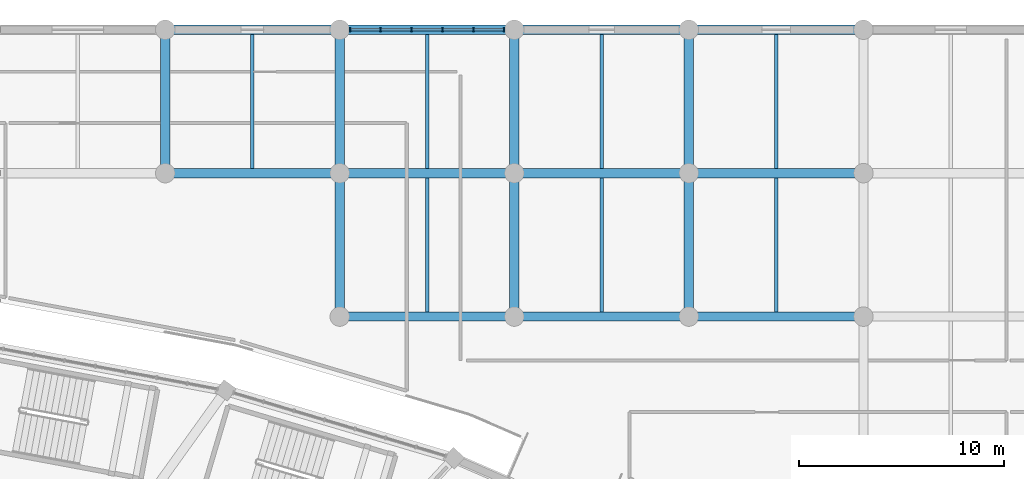
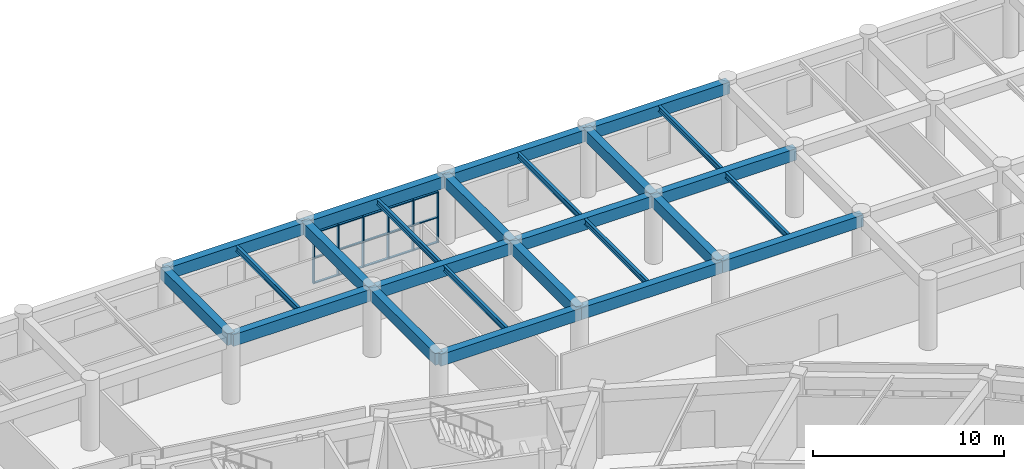
# One storey, part 67 of 141: 25 beams, 21 members, 1 element without a shape of its own.
"""IFC4 building model written with IfcOpenShell, lengths in metres."""

from ifc_helpers import new_model, si_unit, direction, frame, origin, origin_2d, place, context, subcontext, project, spatial, rectangle, i_section, extrude, material, layer, layer_set, material_profile, profile_set, type_object, element, aggregate, save


model = new_model("IFC4")

# Units and contexts
model_context = context("Model", 3, precision=1e-05, world=origin(), true_north=direction((0.0, 1.0)))
body_context = subcontext(model_context, "Body", "Model", "MODEL_VIEW")
ifc_project = project(units=[si_unit("LENGTHUNIT", "METRE"), si_unit("AREAUNIT", "SQUARE_METRE"), si_unit("VOLUMEUNIT", "CUBIC_METRE"), si_unit("PLANEANGLEUNIT", "RADIAN"), si_unit("MASSUNIT", "GRAM", prefix="KILO")], contexts=[model_context])

# Site, building, storey
site_placement = place(None, origin())
site = spatial("IfcSite", under=ifc_project, at=site_placement, CompositionType="ELEMENT")
building_placement = place(site_placement, origin())
building = spatial("IfcBuilding", under=site, at=building_placement, Name="Mphavela Belvedere Stadium", CompositionType="ELEMENT")
storey_placement = place(building_placement, frame((0.0, 0.0, 14.699951171875)))
storey = spatial("IfcBuildingStorey", under=building, at=storey_placement, Name="L03", CompositionType="ELEMENT", Elevation=14.699951171875)

# Beams
ifc_material_1 = material(Name="Steel S355", Category="steel")
ifc_material_profile_1 = material_profile(ifc_material_1, i_section(OverallWidth=0.169921875, OverallDepth=0.360107421875, WebThickness=0.008056640625, FlangeThickness=0.0126953125, at=origin_2d()), Name="IPE 360")
ifc_profile_set_1 = profile_set([ifc_material_profile_1], Name="Steel S355")
beam_type_1 = type_object("IfcBeamType", Name="BM-JOIST-IPE360", PredefinedType="JOIST", material=ifc_profile_set_1)
for number, where, z_axis, x_axis, name in (
    (1, (166.111083984375, 167.22509765625, 4.06005859375), (0.0, 1.0, 0.0), (-1.0, 0.0, 0.0), "North Mast and Ceremonial End Forecourt secondary joist L03 20-7"),
    (2, (174.62939453125, 160.22509765625, 4.06005859375), (0.0, 1.0, 0.0), (-1.0, 0.0, 0.0), "North Mast and Ceremonial End Forecourt secondary joist L03 21-6"),
    (3, (174.62939453125, 167.22509765625, 4.06005859375), (0.0, 1.0, 0.0), (-1.0, 0.0, 0.0), "North Mast and Ceremonial End Forecourt secondary joist L03 21-7"),
    (4, (183.14794921875, 160.22509765625, 4.06005859375), (0.0, 1.0, 0.0), (-1.0, 0.0, 0.0), "North Mast and Ceremonial End Forecourt secondary joist L03 22-6"),
    (5, (183.14794921875, 167.22509765625, 4.06005859375), (0.0, 1.0, 0.0), (-1.0, 0.0, 0.0), "North Mast and Ceremonial End Forecourt secondary joist L03 22-7"),
    (6, (191.66650390625, 160.22509765625, 4.06005859375), (0.0, 1.0, 0.0), (-1.0, 0.0, 0.0), "North Mast and Ceremonial End Forecourt secondary joist L03 23-6"),
    (7, (191.66650390625, 167.22509765625, 4.06005859375), (0.0, 1.0, 0.0), (-1.0, 0.0, 0.0), "North Mast and Ceremonial End Forecourt secondary joist L03 23-7"),
):
    element("IfcBeam", number, at=place(storey_placement, frame(where, z_axis=z_axis, x_axis=x_axis)), inside=storey, type_object=beam_type_1, Name=name, PredefinedType="JOIST", context=body_context, shape_type="SweptSolid", body=[
        extrude(i_section(OverallWidth=0.169921875, OverallDepth=0.360107421875, WebThickness=0.008056640625, FlangeThickness=0.0126953125, at=origin_2d()), origin(), (0.0, 0.0, 1.0), 6.5498046875),
    ])
ifc_material_2 = material(Name="Concrete C40/50", Category="concrete")
ifc_material_profile_2 = material_profile(ifc_material_2, rectangle(XDim=0.449951171875, YDim=0.75, at=origin_2d()), Name="RC 450x750")
ifc_profile_set_2 = profile_set([ifc_material_profile_2], Name="Concrete C40/50")
beam_type_2 = type_object("IfcBeamType", Name="BM-RC450x750", PredefinedType="BEAM", material=ifc_profile_set_2)
beam_1_placement = place(storey_placement, frame((161.85205078125, 167.0, 3.864990234375), z_axis=(1.0, 0.0, 0.0), x_axis=(0.0, 1.0, 0.0)))
element("IfcBeam", 8, at=beam_1_placement, inside=storey, type_object=beam_type_2, Name="North Mast and Ceremonial End Forecourt entablature beam X L03 20-7", PredefinedType="BEAM", context=body_context, shape_type="SweptSolid", body=[
    extrude(rectangle(XDim=0.449951171875, YDim=0.75, at=origin_2d()), origin(), (0.0, 0.0, 1.0), 8.51806640625),
])
beam_2_placement = place(storey_placement, frame((161.85205078125, 167.0, 3.864990234375), z_axis=(0.0, 1.0, 0.0), x_axis=(-1.0, 0.0, 0.0)))
element("IfcBeam", 9, at=beam_2_placement, inside=storey, type_object=beam_type_2, Name="North Mast and Ceremonial End Forecourt entablature beam Y L03 20-7", PredefinedType="BEAM", context=body_context, shape_type="SweptSolid", body=[
    extrude(rectangle(XDim=0.449951171875, YDim=0.75, at=origin_2d()), origin(), (0.0, 0.0, 1.0), 7.0),
])
beam_3_placement = place(storey_placement, frame((161.85205078125, 174.0, 3.864990234375), z_axis=(1.0, 0.0, 0.0), x_axis=(0.0, 1.0, 0.0)))
element("IfcBeam", 10, at=beam_3_placement, inside=storey, type_object=beam_type_2, Name="North Mast and Ceremonial End Forecourt entablature beam X L03 20-8", PredefinedType="BEAM", context=body_context, shape_type="SweptSolid", body=[
    extrude(rectangle(XDim=0.449951171875, YDim=0.75, at=origin_2d()), origin(), (0.0, 0.0, 1.0), 8.51806640625),
])
beam_4_placement = place(storey_placement, frame((170.3701171875, 160.0, 3.864990234375), z_axis=(1.0, 0.0, 0.0), x_axis=(0.0, 1.0, 0.0)))
element("IfcBeam", 11, at=beam_4_placement, inside=storey, type_object=beam_type_2, Name="North Mast and Ceremonial End Forecourt entablature beam X L03 21-6", PredefinedType="BEAM", context=body_context, shape_type="SweptSolid", body=[
    extrude(rectangle(XDim=0.449951171875, YDim=0.75, at=origin_2d()), origin(), (0.0, 0.0, 1.0), 8.518798828125),
])
beam_5_placement = place(storey_placement, frame((170.3701171875, 160.0, 3.864990234375), z_axis=(0.0, 1.0, 0.0), x_axis=(-1.0, 0.0, 0.0)))
element("IfcBeam", 12, at=beam_5_placement, inside=storey, type_object=beam_type_2, Name="North Mast and Ceremonial End Forecourt entablature beam Y L03 21-6", PredefinedType="BEAM", context=body_context, shape_type="SweptSolid", body=[
    extrude(rectangle(XDim=0.449951171875, YDim=0.75, at=origin_2d()), origin(), (0.0, 0.0, 1.0), 7.0),
])
beam_6_placement = place(storey_placement, frame((170.3701171875, 167.0, 3.864990234375), z_axis=(1.0, 0.0, 0.0), x_axis=(0.0, 1.0, 0.0)))
element("IfcBeam", 13, at=beam_6_placement, inside=storey, type_object=beam_type_2, Name="North Mast and Ceremonial End Forecourt entablature beam X L03 21-7", PredefinedType="BEAM", context=body_context, shape_type="SweptSolid", body=[
    extrude(rectangle(XDim=0.449951171875, YDim=0.75, at=origin_2d()), origin(), (0.0, 0.0, 1.0), 8.518798828125),
])
beam_7_placement = place(storey_placement, frame((170.3701171875, 167.0, 3.864990234375), z_axis=(0.0, 1.0, 0.0), x_axis=(-1.0, 0.0, 0.0)))
element("IfcBeam", 14, at=beam_7_placement, inside=storey, type_object=beam_type_2, Name="North Mast and Ceremonial End Forecourt entablature beam Y L03 21-7", PredefinedType="BEAM", context=body_context, shape_type="SweptSolid", body=[
    extrude(rectangle(XDim=0.449951171875, YDim=0.75, at=origin_2d()), origin(), (0.0, 0.0, 1.0), 7.0),
])
beam_8_placement = place(storey_placement, frame((170.3701171875, 174.0, 3.864990234375), z_axis=(1.0, 0.0, 0.0), x_axis=(0.0, 1.0, 0.0)))
element("IfcBeam", 15, at=beam_8_placement, inside=storey, type_object=beam_type_2, Name="North Mast and Ceremonial End Forecourt entablature beam X L03 21-8", PredefinedType="BEAM", context=body_context, shape_type="SweptSolid", body=[
    extrude(rectangle(XDim=0.449951171875, YDim=0.75, at=origin_2d()), origin(), (0.0, 0.0, 1.0), 8.518798828125),
])
beam_9_placement = place(storey_placement, frame((178.888916015625, 160.0, 3.864990234375), z_axis=(1.0, 0.0, 0.0), x_axis=(0.0, 1.0, 0.0)))
element("IfcBeam", 16, at=beam_9_placement, inside=storey, type_object=beam_type_2, Name="North Mast and Ceremonial End Forecourt entablature beam X L03 22-6", PredefinedType="BEAM", context=body_context, shape_type="SweptSolid", body=[
    extrude(rectangle(XDim=0.449951171875, YDim=0.75, at=origin_2d()), origin(), (0.0, 0.0, 1.0), 8.51806640625),
])
beam_10_placement = place(storey_placement, frame((178.888916015625, 160.0, 3.864990234375), z_axis=(0.0, 1.0, 0.0), x_axis=(-1.0, 0.0, 0.0)))
element("IfcBeam", 17, at=beam_10_placement, inside=storey, type_object=beam_type_2, Name="North Mast and Ceremonial End Forecourt entablature beam Y L03 22-6", PredefinedType="BEAM", context=body_context, shape_type="SweptSolid", body=[
    extrude(rectangle(XDim=0.449951171875, YDim=0.75, at=origin_2d()), origin(), (0.0, 0.0, 1.0), 7.0),
])
beam_11_placement = place(storey_placement, frame((178.888916015625, 167.0, 3.864990234375), z_axis=(1.0, 0.0, 0.0), x_axis=(0.0, 1.0, 0.0)))
element("IfcBeam", 18, at=beam_11_placement, inside=storey, type_object=beam_type_2, Name="North Mast and Ceremonial End Forecourt entablature beam X L03 22-7", PredefinedType="BEAM", context=body_context, shape_type="SweptSolid", body=[
    extrude(rectangle(XDim=0.449951171875, YDim=0.75, at=origin_2d()), origin(), (0.0, 0.0, 1.0), 8.51806640625),
])
beam_12_placement = place(storey_placement, frame((178.888916015625, 167.0, 3.864990234375), z_axis=(0.0, 1.0, 0.0), x_axis=(-1.0, 0.0, 0.0)))
element("IfcBeam", 19, at=beam_12_placement, inside=storey, type_object=beam_type_2, Name="North Mast and Ceremonial End Forecourt entablature beam Y L03 22-7", PredefinedType="BEAM", context=body_context, shape_type="SweptSolid", body=[
    extrude(rectangle(XDim=0.449951171875, YDim=0.75, at=origin_2d()), origin(), (0.0, 0.0, 1.0), 7.0),
])
beam_13_placement = place(storey_placement, frame((178.888916015625, 174.0, 3.864990234375), z_axis=(1.0, 0.0, 0.0), x_axis=(0.0, 1.0, 0.0)))
element("IfcBeam", 20, at=beam_13_placement, inside=storey, type_object=beam_type_2, Name="North Mast and Ceremonial End Forecourt entablature beam X L03 22-8", PredefinedType="BEAM", context=body_context, shape_type="SweptSolid", body=[
    extrude(rectangle(XDim=0.449951171875, YDim=0.75, at=origin_2d()), origin(), (0.0, 0.0, 1.0), 8.51806640625),
])
beam_14_placement = place(storey_placement, frame((187.406982421875, 160.0, 3.864990234375), z_axis=(1.0, 0.0, 0.0), x_axis=(0.0, 1.0, 0.0)))
element("IfcBeam", 21, at=beam_14_placement, inside=storey, type_object=beam_type_2, Name="North Mast and Ceremonial End Forecourt entablature beam X L03 23-6", PredefinedType="BEAM", context=body_context, shape_type="SweptSolid", body=[
    extrude(rectangle(XDim=0.449951171875, YDim=0.75, at=origin_2d()), origin(), (0.0, 0.0, 1.0), 8.51904296875),
])
beam_15_placement = place(storey_placement, frame((187.406982421875, 160.0, 3.864990234375), z_axis=(0.0, 1.0, 0.0), x_axis=(-1.0, 0.0, 0.0)))
element("IfcBeam", 22, at=beam_15_placement, inside=storey, type_object=beam_type_2, Name="North Mast and Ceremonial End Forecourt entablature beam Y L03 23-6", PredefinedType="BEAM", context=body_context, shape_type="SweptSolid", body=[
    extrude(rectangle(XDim=0.449951171875, YDim=0.75, at=origin_2d()), origin(), (0.0, 0.0, 1.0), 7.0),
])
beam_16_placement = place(storey_placement, frame((187.406982421875, 167.0, 3.864990234375), z_axis=(1.0, 0.0, 0.0), x_axis=(0.0, 1.0, 0.0)))
element("IfcBeam", 23, at=beam_16_placement, inside=storey, type_object=beam_type_2, Name="North Mast and Ceremonial End Forecourt entablature beam X L03 23-7", PredefinedType="BEAM", context=body_context, shape_type="SweptSolid", body=[
    extrude(rectangle(XDim=0.449951171875, YDim=0.75, at=origin_2d()), origin(), (0.0, 0.0, 1.0), 8.51904296875),
])
beam_17_placement = place(storey_placement, frame((187.406982421875, 167.0, 3.864990234375), z_axis=(0.0, 1.0, 0.0), x_axis=(-1.0, 0.0, 0.0)))
element("IfcBeam", 24, at=beam_17_placement, inside=storey, type_object=beam_type_2, Name="North Mast and Ceremonial End Forecourt entablature beam Y L03 23-7", PredefinedType="BEAM", context=body_context, shape_type="SweptSolid", body=[
    extrude(rectangle(XDim=0.449951171875, YDim=0.75, at=origin_2d()), origin(), (0.0, 0.0, 1.0), 7.0),
])
beam_18_placement = place(storey_placement, frame((187.406982421875, 174.0, 3.864990234375), z_axis=(1.0, 0.0, 0.0), x_axis=(0.0, 1.0, 0.0)))
element("IfcBeam", 25, at=beam_18_placement, inside=storey, type_object=beam_type_2, Name="North Mast and Ceremonial End Forecourt entablature beam X L03 23-8", PredefinedType="BEAM", context=body_context, shape_type="SweptSolid", body=[
    extrude(rectangle(XDim=0.449951171875, YDim=0.75, at=origin_2d()), origin(), (0.0, 0.0, 1.0), 8.51904296875),
])

# Curtain wall, members
ifc_material_3 = material(Name="Anodised bronze unitised curtain wall framing")
ifc_layer = layer(ifc_material_3, 0.18994140625)
ifc_layer_set = layer_set([ifc_layer], Name="Anodised bronze unitised curtain wall framing")
curtain_wall_type = type_object("IfcCurtainWallType", Name="CW-UNIT-03", PredefinedType="USERDEFINED", material=ifc_layer_set)
curtain_wall_placement = place(storey_placement, origin())
curtain_wall = element("IfcCurtainWall", 26, at=curtain_wall_placement, inside=storey, type_object=curtain_wall_type, Name="North Mast and Ceremonial End Forecourt gallery curtain wall L03-21", ObjectType="UNITISED CURTAIN WALL", PredefinedType="USERDEFINED")
ifc_material_4 = material(Name="Anodised bronze extruded aluminium", Category="aluminium")
ifc_material_profile_3 = material_profile(ifc_material_4, rectangle(XDim=0.179931640625, YDim=0.06494140625, at=origin_2d()), Name="CW-MUL 180x65")
ifc_profile_set_3 = profile_set([ifc_material_profile_3], Name="Anodised bronze extruded aluminium")
member_type_1 = type_object("IfcMemberType", Name="CWM-180x65", PredefinedType="MULLION", material=ifc_profile_set_3)
member_1_placement = place(storey_placement, frame((170.87548828125, 174.0, 0.0), z_axis=(0.0, 0.0, 1.0), x_axis=(0.0, 1.0, 0.0)))
member_1 = element("IfcMember", 27, at=member_1_placement, type_object=member_type_1, Name="CW-03 mullion 1", PredefinedType="MULLION", context=body_context, shape_type="SweptSolid", body=[
    extrude(rectangle(XDim=0.179931640625, YDim=0.06494140625, at=origin_2d()), origin(), (0.0, 0.0, 1.0), 3.260009765625),
])
member_2_placement = place(storey_placement, frame((172.357666015625, 174.0, 0.0), z_axis=(0.0, 0.0, 1.0), x_axis=(0.0, 1.0, 0.0)))
member_2 = element("IfcMember", 28, at=member_2_placement, type_object=member_type_1, Name="CW-03 mullion 2", PredefinedType="MULLION", context=body_context, shape_type="SweptSolid", body=[
    extrude(rectangle(XDim=0.179931640625, YDim=0.06494140625, at=origin_2d()), origin(), (0.0, 0.0, 1.0), 3.260009765625),
])
member_3_placement = place(storey_placement, frame((173.872314453125, 174.0, 0.0), z_axis=(0.0, 0.0, 1.0), x_axis=(0.0, 1.0, 0.0)))
member_3 = element("IfcMember", 29, at=member_3_placement, type_object=member_type_1, Name="CW-03 mullion 3", PredefinedType="MULLION", context=body_context, shape_type="SweptSolid", body=[
    extrude(rectangle(XDim=0.179931640625, YDim=0.06494140625, at=origin_2d()), origin(), (0.0, 0.0, 1.0), 3.260009765625),
])
member_4_placement = place(storey_placement, frame((175.38671875, 174.0, 0.0), z_axis=(0.0, 0.0, 1.0), x_axis=(0.0, 1.0, 0.0)))
member_4 = element("IfcMember", 30, at=member_4_placement, type_object=member_type_1, Name="CW-03 mullion 4", PredefinedType="MULLION", context=body_context, shape_type="SweptSolid", body=[
    extrude(rectangle(XDim=0.179931640625, YDim=0.06494140625, at=origin_2d()), origin(), (0.0, 0.0, 1.0), 3.260009765625),
])
member_5_placement = place(storey_placement, frame((176.9013671875, 174.0, 0.0), z_axis=(0.0, 0.0, 1.0), x_axis=(0.0, 1.0, 0.0)))
member_5 = element("IfcMember", 31, at=member_5_placement, type_object=member_type_1, Name="CW-03 mullion 5", PredefinedType="MULLION", context=body_context, shape_type="SweptSolid", body=[
    extrude(rectangle(XDim=0.179931640625, YDim=0.06494140625, at=origin_2d()), origin(), (0.0, 0.0, 1.0), 3.260009765625),
])
member_6_placement = place(storey_placement, frame((178.383544921875, 174.0, 0.0), z_axis=(0.0, 0.0, 1.0), x_axis=(0.0, 1.0, 0.0)))
member_6 = element("IfcMember", 32, at=member_6_placement, type_object=member_type_1, Name="CW-03 mullion 6", PredefinedType="MULLION", context=body_context, shape_type="SweptSolid", body=[
    extrude(rectangle(XDim=0.179931640625, YDim=0.06494140625, at=origin_2d()), origin(), (0.0, 0.0, 1.0), 3.260009765625),
])
ifc_material_5 = material(Name="Anodised bronze extruded aluminium", Category="aluminium")
ifc_material_profile_4 = material_profile(ifc_material_5, rectangle(XDim=0.139892578125, YDim=0.06005859375, at=origin_2d()), Name="CW-TRN 140x60")
ifc_profile_set_4 = profile_set([ifc_material_profile_4], Name="Anodised bronze extruded aluminium")
member_type_2 = type_object("IfcMemberType", Name="CWT-140x60", PredefinedType="USERDEFINED", material=ifc_profile_set_4)
member_7_placement = place(storey_placement, frame((170.907958984375, 174.0, 0.030029296875), z_axis=(1.0, 0.0, 0.0), x_axis=(0.0, 1.0, 0.0)))
member_7 = element("IfcMember", 33, at=member_7_placement, type_object=member_type_2, Name="CW-03 transom 1.1", ObjectType="TRANSOM", PredefinedType="USERDEFINED", context=body_context, shape_type="SweptSolid", body=[
    extrude(rectangle(XDim=0.139892578125, YDim=0.06005859375, at=origin_2d()), origin(), (0.0, 0.0, 1.0), 1.417236328125),
])
member_8_placement = place(storey_placement, frame((170.907958984375, 174.0, 1.630126953125), z_axis=(1.0, 0.0, 0.0), x_axis=(0.0, 1.0, 0.0)))
member_8 = element("IfcMember", 34, at=member_8_placement, type_object=member_type_2, Name="CW-03 transom 1.2", ObjectType="TRANSOM", PredefinedType="USERDEFINED", context=body_context, shape_type="SweptSolid", body=[
    extrude(rectangle(XDim=0.139892578125, YDim=0.06005859375, at=origin_2d()), origin(), (0.0, 0.0, 1.0), 1.417236328125),
])
member_9_placement = place(storey_placement, frame((170.907958984375, 174.0, 3.22998046875), z_axis=(1.0, 0.0, 0.0), x_axis=(0.0, 1.0, 0.0)))
member_9 = element("IfcMember", 35, at=member_9_placement, type_object=member_type_2, Name="CW-03 transom 1.3", ObjectType="TRANSOM", PredefinedType="USERDEFINED", context=body_context, shape_type="SweptSolid", body=[
    extrude(rectangle(XDim=0.139892578125, YDim=0.06005859375, at=origin_2d()), origin(), (0.0, 0.0, 1.0), 1.417236328125),
])
member_10_placement = place(storey_placement, frame((172.39013671875, 174.0, 0.030029296875), z_axis=(1.0, 0.0, 0.0), x_axis=(0.0, 1.0, 0.0)))
member_10 = element("IfcMember", 36, at=member_10_placement, type_object=member_type_2, Name="CW-03 transom 2.1", ObjectType="TRANSOM", PredefinedType="USERDEFINED", context=body_context, shape_type="SweptSolid", body=[
    extrude(rectangle(XDim=0.139892578125, YDim=0.06005859375, at=origin_2d()), origin(), (0.0, 0.0, 1.0), 1.449462890625),
])
member_11_placement = place(storey_placement, frame((172.39013671875, 174.0, 1.630126953125), z_axis=(1.0, 0.0, 0.0), x_axis=(0.0, 1.0, 0.0)))
member_11 = element("IfcMember", 37, at=member_11_placement, type_object=member_type_2, Name="CW-03 transom 2.2", ObjectType="TRANSOM", PredefinedType="USERDEFINED", context=body_context, shape_type="SweptSolid", body=[
    extrude(rectangle(XDim=0.139892578125, YDim=0.06005859375, at=origin_2d()), origin(), (0.0, 0.0, 1.0), 1.449462890625),
])
member_12_placement = place(storey_placement, frame((172.39013671875, 174.0, 3.22998046875), z_axis=(1.0, 0.0, 0.0), x_axis=(0.0, 1.0, 0.0)))
member_12 = element("IfcMember", 38, at=member_12_placement, type_object=member_type_2, Name="CW-03 transom 2.3", ObjectType="TRANSOM", PredefinedType="USERDEFINED", context=body_context, shape_type="SweptSolid", body=[
    extrude(rectangle(XDim=0.139892578125, YDim=0.06005859375, at=origin_2d()), origin(), (0.0, 0.0, 1.0), 1.449462890625),
])
member_13_placement = place(storey_placement, frame((173.90478515625, 174.0, 0.030029296875), z_axis=(1.0, 0.0, 0.0), x_axis=(0.0, 1.0, 0.0)))
member_13 = element("IfcMember", 39, at=member_13_placement, type_object=member_type_2, Name="CW-03 transom 3.1", ObjectType="TRANSOM", PredefinedType="USERDEFINED", context=body_context, shape_type="SweptSolid", body=[
    extrude(rectangle(XDim=0.139892578125, YDim=0.06005859375, at=origin_2d()), origin(), (0.0, 0.0, 1.0), 1.449462890625),
])
member_14_placement = place(storey_placement, frame((173.90478515625, 174.0, 1.630126953125), z_axis=(1.0, 0.0, 0.0), x_axis=(0.0, 1.0, 0.0)))
member_14 = element("IfcMember", 40, at=member_14_placement, type_object=member_type_2, Name="CW-03 transom 3.2", ObjectType="TRANSOM", PredefinedType="USERDEFINED", context=body_context, shape_type="SweptSolid", body=[
    extrude(rectangle(XDim=0.139892578125, YDim=0.06005859375, at=origin_2d()), origin(), (0.0, 0.0, 1.0), 1.449462890625),
])
member_15_placement = place(storey_placement, frame((173.90478515625, 174.0, 3.22998046875), z_axis=(1.0, 0.0, 0.0), x_axis=(0.0, 1.0, 0.0)))
member_15 = element("IfcMember", 41, at=member_15_placement, type_object=member_type_2, Name="CW-03 transom 3.3", ObjectType="TRANSOM", PredefinedType="USERDEFINED", context=body_context, shape_type="SweptSolid", body=[
    extrude(rectangle(XDim=0.139892578125, YDim=0.06005859375, at=origin_2d()), origin(), (0.0, 0.0, 1.0), 1.449462890625),
])
member_16_placement = place(storey_placement, frame((175.419189453125, 174.0, 0.030029296875), z_axis=(1.0, 0.0, 0.0), x_axis=(0.0, 1.0, 0.0)))
member_16 = element("IfcMember", 42, at=member_16_placement, type_object=member_type_2, Name="CW-03 transom 4.1", ObjectType="TRANSOM", PredefinedType="USERDEFINED", context=body_context, shape_type="SweptSolid", body=[
    extrude(rectangle(XDim=0.139892578125, YDim=0.06005859375, at=origin_2d()), origin(), (0.0, 0.0, 1.0), 1.44970703125),
])
member_17_placement = place(storey_placement, frame((175.419189453125, 174.0, 1.630126953125), z_axis=(1.0, 0.0, 0.0), x_axis=(0.0, 1.0, 0.0)))
member_17 = element("IfcMember", 43, at=member_17_placement, type_object=member_type_2, Name="CW-03 transom 4.2", ObjectType="TRANSOM", PredefinedType="USERDEFINED", context=body_context, shape_type="SweptSolid", body=[
    extrude(rectangle(XDim=0.139892578125, YDim=0.06005859375, at=origin_2d()), origin(), (0.0, 0.0, 1.0), 1.44970703125),
])
member_18_placement = place(storey_placement, frame((175.419189453125, 174.0, 3.22998046875), z_axis=(1.0, 0.0, 0.0), x_axis=(0.0, 1.0, 0.0)))
member_18 = element("IfcMember", 44, at=member_18_placement, type_object=member_type_2, Name="CW-03 transom 4.3", ObjectType="TRANSOM", PredefinedType="USERDEFINED", context=body_context, shape_type="SweptSolid", body=[
    extrude(rectangle(XDim=0.139892578125, YDim=0.06005859375, at=origin_2d()), origin(), (0.0, 0.0, 1.0), 1.44970703125),
])
member_19_placement = place(storey_placement, frame((176.933837890625, 174.0, 0.030029296875), z_axis=(1.0, 0.0, 0.0), x_axis=(0.0, 1.0, 0.0)))
member_19 = element("IfcMember", 45, at=member_19_placement, type_object=member_type_2, Name="CW-03 transom 5.1", ObjectType="TRANSOM", PredefinedType="USERDEFINED", context=body_context, shape_type="SweptSolid", body=[
    extrude(rectangle(XDim=0.139892578125, YDim=0.06005859375, at=origin_2d()), origin(), (0.0, 0.0, 1.0), 1.417236328125),
])
member_20_placement = place(storey_placement, frame((176.933837890625, 174.0, 1.630126953125), z_axis=(1.0, 0.0, 0.0), x_axis=(0.0, 1.0, 0.0)))
member_20 = element("IfcMember", 46, at=member_20_placement, type_object=member_type_2, Name="CW-03 transom 5.2", ObjectType="TRANSOM", PredefinedType="USERDEFINED", context=body_context, shape_type="SweptSolid", body=[
    extrude(rectangle(XDim=0.139892578125, YDim=0.06005859375, at=origin_2d()), origin(), (0.0, 0.0, 1.0), 1.417236328125),
])
member_21_placement = place(storey_placement, frame((176.933837890625, 174.0, 3.22998046875), z_axis=(1.0, 0.0, 0.0), x_axis=(0.0, 1.0, 0.0)))
member_21 = element("IfcMember", 47, at=member_21_placement, type_object=member_type_2, Name="CW-03 transom 5.3", ObjectType="TRANSOM", PredefinedType="USERDEFINED", context=body_context, shape_type="SweptSolid", body=[
    extrude(rectangle(XDim=0.139892578125, YDim=0.06005859375, at=origin_2d()), origin(), (0.0, 0.0, 1.0), 1.417236328125),
])
aggregate(curtain_wall, [member_1, member_2, member_3, member_4, member_5, member_6, member_7, member_8, member_9, member_10, member_11, member_12, member_13, member_14, member_15, member_16, member_17, member_18, member_19, member_20, member_21])

save(model, "model.ifc")
